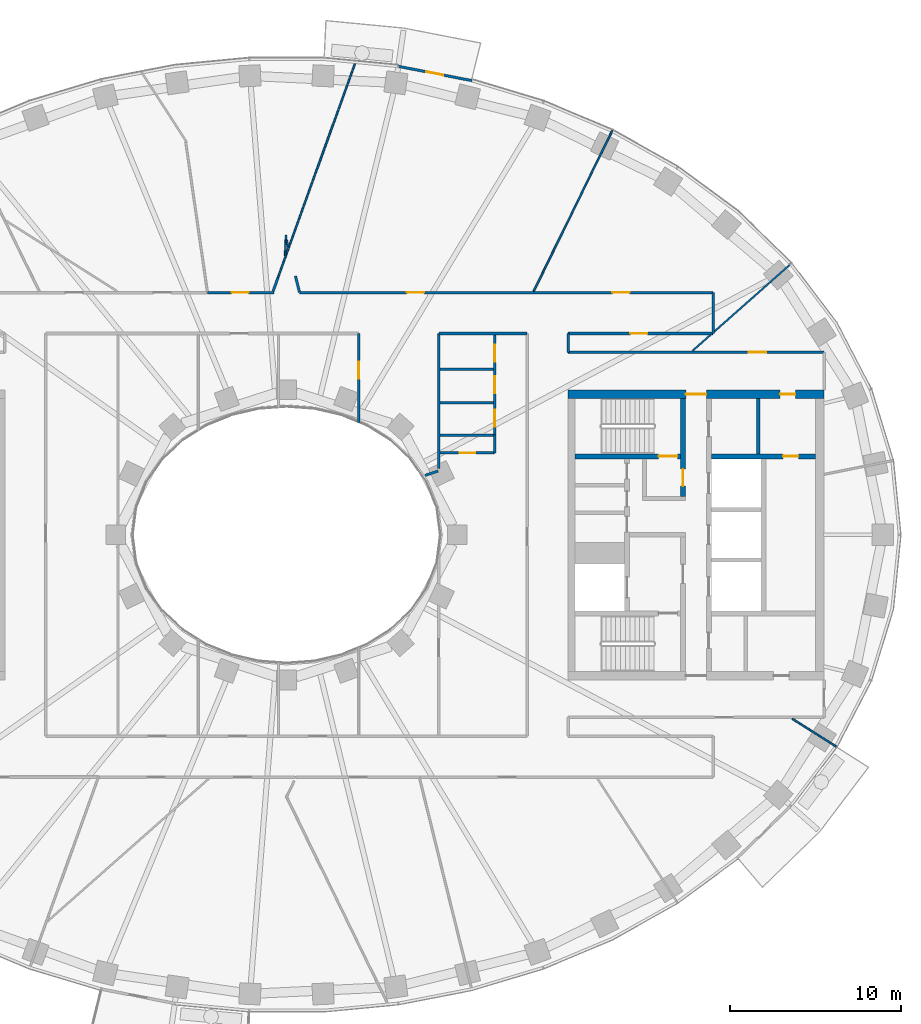
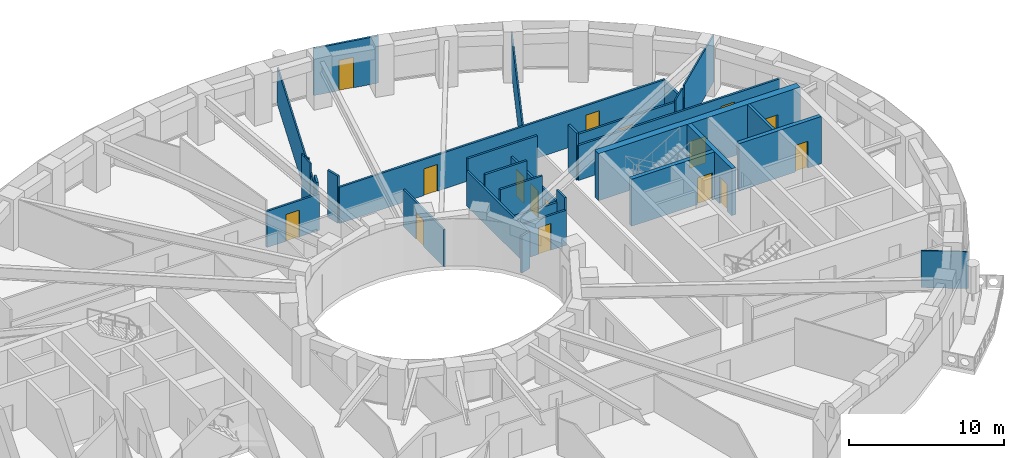
# One storey, part 6 of 16: 31 walls, 16 doors, 16 openings.
"""IFC4 building model written with IfcOpenShell, lengths in metres."""

from ifc_helpers import new_model, si_unit, direction, frame, frame_2d, origin, place, context, subcontext, project, spatial, rectangle, extrude, material, layer, layer_set, type_object, element, fill, save


model = new_model("IFC4")

# Units and contexts
model_context = context("Model", 3, precision=1e-05, world=origin(), true_north=direction((0.0, 1.0)))
body_context = subcontext(model_context, "Body", "Model", "MODEL_VIEW")
ifc_project = project(units=[si_unit("LENGTHUNIT", "METRE"), si_unit("AREAUNIT", "SQUARE_METRE"), si_unit("VOLUMEUNIT", "CUBIC_METRE"), si_unit("PLANEANGLEUNIT", "RADIAN"), si_unit("MASSUNIT", "GRAM", prefix="KILO")], contexts=[model_context])

# Site, building, storey
site_placement = place(None, origin())
site = spatial("IfcSite", under=ifc_project, at=site_placement, CompositionType="ELEMENT")
building_placement = place(site_placement, origin())
building = spatial("IfcBuilding", under=site, at=building_placement, Name="Noorbagh Ring Tower", CompositionType="ELEMENT")
storey_placement = place(building_placement, frame((0.0, 0.0, 124.0)))
storey = spatial("IfcBuildingStorey", under=building, at=storey_placement, Name="L28", CompositionType="ELEMENT", Elevation=124.0)

# Wall
ifc_material_1 = material(Name="Gypsum board on steel studs", Category="steel")
ifc_layer_1 = layer(ifc_material_1, 0.14990234375)
ifc_layer_set_1 = layer_set([ifc_layer_1], Name="Gypsum board on steel studs")
wall_type_1 = type_object("IfcWallType", Name="COMPARTMENT PARTITION 150 EI 60", PredefinedType="PARTITIONING", material=ifc_layer_set_1)
wall_1_placement = place(storey_placement, frame((9.0, 5.85009765625, 0.0), z_axis=(0.0, 0.0, 1.0), x_axis=(1.0, 0.0, 0.0)))
element("IfcWall", 1, at=wall_1_placement, inside=storey, type_object=wall_type_1, Name="L28/wall/P47", PredefinedType="PARTITIONING", context=body_context, shape_type="SweptSolid", body=[
    extrude(rectangle(XDim=3.199951171875, YDim=0.14990234375, at=frame_2d((1.60009765625, 0.0))), origin(), (0.0, 0.0, 1.0), 2.75),
])

# Wall, opening, door
wall_2_placement = place(storey_placement, frame((9.00390625, 4.800048828125, 0.0), z_axis=(0.0, 0.0, 1.0), x_axis=(1.0, 0.0, 0.0)))
wall_2 = element("IfcWall", 2, at=wall_2_placement, inside=storey, type_object=wall_type_1, Name="L28/wall/P50", PredefinedType="PARTITIONING", context=body_context, shape_type="SweptSolid", body=[
    extrude(rectangle(XDim=3.196044921875, YDim=0.14990234375, at=frame_2d((1.59814453125, 0.0))), origin(), (0.0, 0.0, 1.0), 2.75),
])
opening_1_placement = place(wall_2_placement, frame((1.14599609375, 0.0, 0.0)))
opening_1 = element("IfcOpeningElement", 3, at=opening_1_placement, cuts=wall_2, Name="Opening D4", PredefinedType="OPENING", context=body_context, shape_type="SweptSolid", body=[
    extrude(rectangle(XDim=0.89990234375, YDim=2.10009765625, at=frame_2d((0.449951171875, 1.050048828125))), frame((0.0, 0.0849609375, 0.0), z_axis=(0.0, -1.0, 0.0), x_axis=(1.0, 0.0, 0.0)), (0.0, 0.0, 1.0), 0.169921875),
])
ifc_material_2 = material(Name="Timber, painted", Category="wood")
door_type_1 = type_object("IfcDoorType", Name="DOOR 900 X 2100 FD60", OperationType="SINGLE_SWING_LEFT", PredefinedType="DOOR", material=ifc_material_2)
door_1_placement = place(opening_1_placement, origin())
door_1 = element("IfcDoor", 4, at=door_1_placement, inside=storey, type_object=door_type_1, Name="L28-D05", OperationType="SINGLE_SWING_LEFT", OverallHeight=2.10009765625, OverallWidth=0.89990234375, PredefinedType="DOOR", context=body_context, shape_type="SweptSolid", body=[
    extrude(rectangle(XDim=0.89990234375, YDim=2.10009765625, at=frame_2d((0.449951171875, 1.050048828125))), frame((0.0, 0.02490234375, 0.0), z_axis=(0.0, -1.0, 0.0), x_axis=(1.0, 0.0, 0.0)), (0.0, 0.0, 1.0), 0.050048828125),
])
fill(opening_1, door_1)

# Walls
wall_3_placement = place(storey_placement, frame((12.199951171875, 4.800048828125, 0.0), z_axis=(0.0, 0.0, 1.0), x_axis=(0.0, 1.0, 0.0)))
element("IfcWall", 5, at=wall_3_placement, inside=storey, type_object=wall_type_1, Name="L28/wall/P51", PredefinedType="PARTITIONING", context=body_context, shape_type="SweptSolid", body=[
    extrude(rectangle(XDim=1.050048828125, YDim=0.14990234375, at=frame_2d((0.52490234375, 0.0))), origin(), (0.0, 0.0, 1.0), 3.699951171875),
])
ifc_material_3 = material(Name="Gypsum board on steel studs", Category="steel")
ifc_layer_2 = layer(ifc_material_3, 0.199951171875)
ifc_layer_set_2 = layer_set([ifc_layer_2], Name="Gypsum board on steel studs")
wall_type_2 = type_object("IfcWallType", Name="CORE-PARTITION-200", PredefinedType="PARTITIONING", material=ifc_layer_set_2)
wall_4_placement = place(storey_placement, frame((27.64990234375, 4.75, 0.0), z_axis=(0.0, 0.0, 1.0), x_axis=(0.0, 1.0, 0.0)))
element("IfcWall", 6, at=wall_4_placement, inside=storey, type_object=wall_type_2, Name="Core partition E", PredefinedType="PARTITIONING", context=body_context, shape_type="SweptSolid", body=[
    extrude(rectangle(XDim=3.25, YDim=0.199951171875, at=frame_2d((1.625, 0.0))), origin(), (0.0, 0.0, 1.0), 3.699951171875),
])

# Wall, opening, door
ifc_material_4 = material(Name="Concrete C70/85", Category="concrete")
ifc_layer_3 = layer(ifc_material_4, 0.300048828125)
ifc_layer_set_3 = layer_set([ifc_layer_3], Name="Concrete C70/85")
wall_type_3 = type_object("IfcWallType", Name="CORE-WALL-300-C70-85-EI240", PredefinedType="SHEAR", material=ifc_layer_set_3)
wall_5_placement = place(storey_placement, frame((24.89990234375, 4.60009765625, 0.0), z_axis=(0.0, 0.0, 1.0), x_axis=(1.0, 0.0, 0.0)))
wall_5 = element("IfcWall", 7, at=wall_5_placement, inside=storey, type_object=wall_type_3, Name="Core wall E", PredefinedType="SHEAR", context=body_context, shape_type="SweptSolid", body=[
    extrude(rectangle(XDim=6.10009765625, YDim=0.300048828125, at=frame_2d((3.050048828125, 0.0))), origin(), (0.0, 0.0, 1.0), 3.699951171875),
])
opening_2_placement = place(wall_5_placement, frame((4.199951171875, 0.0, 0.0)))
opening_2 = element("IfcOpeningElement", 8, at=opening_2_placement, cuts=wall_5, Name="Opening L28-CE18", PredefinedType="OPENING", context=body_context, shape_type="SweptSolid", body=[
    extrude(rectangle(XDim=0.89990234375, YDim=2.10009765625, at=frame_2d((0.449951171875, 1.050048828125))), frame((0.0, 0.16015625, 0.0), z_axis=(0.0, -1.0, 0.0), x_axis=(1.0, 0.0, 0.0)), (0.0, 0.0, 1.0), 0.320068359375),
])
ifc_material_5 = material(Name="Steel door leaf", Category="steel")
door_type_2 = type_object("IfcDoorType", Name="CORE-DOOR-DROOM", OperationType="SINGLE_SWING_LEFT", PredefinedType="DOOR", material=ifc_material_5)
door_2_placement = place(opening_2_placement, origin())
door_2 = element("IfcDoor", 9, at=door_2_placement, inside=storey, type_object=door_type_2, Name="Core room door L28-CE18", OperationType="SINGLE_SWING_RIGHT", OverallHeight=2.10009765625, OverallWidth=0.89990234375, PredefinedType="DOOR", context=body_context, shape_type="SweptSolid", body=[
    extrude(rectangle(XDim=0.89990234375, YDim=2.10009765625, at=frame_2d((0.449951171875, 1.050048828125))), frame((0.0, 0.02490234375, 0.0), z_axis=(0.0, -1.0, 0.0), x_axis=(1.0, 0.0, 0.0)), (0.0, 0.0, 1.0), 0.050048828125),
])
fill(opening_2, door_2)

wall_6_placement = place(storey_placement, frame((23.22998046875, 2.25, 0.0), z_axis=(0.0, 0.0, 1.0), x_axis=(0.0, 1.0, 0.0)))
wall_6 = element("IfcWall", 10, at=wall_6_placement, inside=storey, type_object=wall_type_3, Name="Core wall E", PredefinedType="SHEAR", context=body_context, shape_type="SweptSolid", body=[
    extrude(rectangle(XDim=5.75, YDim=0.300048828125, at=frame_2d((2.875, 0.0))), origin(), (0.0, 0.0, 1.0), 3.699951171875),
])
opening_3_placement = place(wall_6_placement, frame((0.60009765625, 0.0, 0.0)))
opening_3 = element("IfcOpeningElement", 11, at=opening_3_placement, cuts=wall_6, Name="Opening L28-CE08", PredefinedType="OPENING", context=body_context, shape_type="SweptSolid", body=[
    extrude(rectangle(XDim=1.0, YDim=2.10009765625, at=frame_2d((0.5, 1.050048828125))), frame((0.0, 0.16015625, 0.0), z_axis=(0.0, -1.0, 0.0), x_axis=(1.0, 0.0, 0.0)), (0.0, 0.0, 1.0), 0.320068359375),
])
ifc_material_6 = material(Name="Steel door leaf", Category="steel")
door_type_3 = type_object("IfcDoorType", Name="CORE-DOOR-DVEST", OperationType="SINGLE_SWING_LEFT", PredefinedType="DOOR", material=ifc_material_6)
door_3_placement = place(opening_3_placement, origin())
door_3 = element("IfcDoor", 12, at=door_3_placement, inside=storey, type_object=door_type_3, Name="Stair vestibule door L28-CE08", OperationType="SINGLE_SWING_RIGHT", OverallHeight=2.10009765625, OverallWidth=1.0, PredefinedType="DOOR", context=body_context, shape_type="SweptSolid", body=[
    extrude(rectangle(XDim=1.0, YDim=2.10009765625, at=frame_2d((0.5, 1.050048828125))), frame((0.0, 0.02490234375, 0.0), z_axis=(0.0, -1.0, 0.0), x_axis=(1.0, 0.0, 0.0)), (0.0, 0.0, 1.0), 0.050048828125),
])
fill(opening_3, door_3)

wall_7_placement = place(storey_placement, frame((16.89990234375, 4.60009765625, 0.0), z_axis=(0.0, 0.0, 1.0), x_axis=(1.0, 0.0, 0.0)))
wall_7 = element("IfcWall", 13, at=wall_7_placement, inside=storey, type_object=wall_type_3, Name="Core wall E", PredefinedType="SHEAR", context=body_context, shape_type="SweptSolid", body=[
    extrude(rectangle(XDim=6.18017578125, YDim=0.300048828125, at=frame_2d((3.090087890625, 0.0))), origin(), (0.0, 0.0, 1.0), 3.699951171875),
])
opening_4_placement = place(wall_7_placement, frame((4.89990234375, 0.0, 0.0)))
opening_4 = element("IfcOpeningElement", 14, at=opening_4_placement, cuts=wall_7, Name="Opening L28-CE05", PredefinedType="OPENING", context=body_context, shape_type="SweptSolid", body=[
    extrude(rectangle(XDim=1.10009765625, YDim=2.10009765625, at=frame_2d((0.550048828125, 1.050048828125))), frame((0.0, 0.16015625, 0.0), z_axis=(0.0, -1.0, 0.0), x_axis=(1.0, 0.0, 0.0)), (0.0, 0.0, 1.0), 0.320068359375),
])
ifc_material_7 = material(Name="Steel door leaf", Category="steel")
door_type_4 = type_object("IfcDoorType", Name="CORE-DOOR-DSTAIR", OperationType="SINGLE_SWING_LEFT", PredefinedType="DOOR", material=ifc_material_7)
door_4_placement = place(opening_4_placement, origin())
door_4 = element("IfcDoor", 15, at=door_4_placement, inside=storey, type_object=door_type_4, Name="Stair door ST3 L28-CE05", OperationType="SINGLE_SWING_LEFT", OverallHeight=2.10009765625, OverallWidth=1.10009765625, PredefinedType="DOOR", context=body_context, shape_type="SweptSolid", body=[
    extrude(rectangle(XDim=1.10009765625, YDim=2.10009765625, at=frame_2d((0.550048828125, 1.050048828125))), frame((0.0, 0.02490234375, 0.0), z_axis=(0.0, -1.0, 0.0), x_axis=(1.0, 0.0, 0.0)), (0.0, 0.0, 1.0), 0.050048828125),
])
fill(opening_4, door_4)

# Wall, openings, doors
ifc_material_8 = material(Name="Concrete C70/85", Category="concrete")
ifc_layer_4 = layer(ifc_material_8, 0.5)
ifc_layer_set_4 = layer_set([ifc_layer_4], Name="Concrete C70/85")
wall_type_4 = type_object("IfcWallType", Name="CORE-WALL-500-C70-85-EI240", PredefinedType="SHEAR", material=ifc_layer_set_4)
wall_8_placement = place(storey_placement, frame((16.5, 8.25, 0.0), z_axis=(0.0, 0.0, 1.0), x_axis=(1.0, 0.0, 0.0)))
wall_8 = element("IfcWall", 16, at=wall_8_placement, inside=storey, type_object=wall_type_4, Name="Core wall E", PredefinedType="SHEAR", context=body_context, shape_type="SweptSolid", body=[
    extrude(rectangle(XDim=15.0, YDim=0.5, at=frame_2d((7.5, 0.0))), origin(), (0.0, 0.0, 1.0), 3.699951171875),
])
opening_5_placement = place(wall_8_placement, frame((6.89990234375, 0.0, 0.0)))
opening_5 = element("IfcOpeningElement", 17, at=opening_5_placement, cuts=wall_8, Name="Opening L28-CE09", PredefinedType="OPENING", context=body_context, shape_type="SweptSolid", body=[
    extrude(rectangle(XDim=1.199951171875, YDim=2.10009765625, at=frame_2d((0.60009765625, 1.050048828125))), frame((0.0, 0.260009765625, 0.0), z_axis=(0.0, -1.0, 0.0), x_axis=(1.0, 0.0, 0.0)), (0.0, 0.0, 1.0), 0.52001953125),
])
opening_6_placement = place(wall_8_placement, frame((12.425048828125, 0.0, 0.0)))
opening_6 = element("IfcOpeningElement", 18, at=opening_6_placement, cuts=wall_8, Name="Opening L28-CE15", PredefinedType="OPENING", context=body_context, shape_type="SweptSolid", body=[
    extrude(rectangle(XDim=0.89990234375, YDim=2.10009765625, at=frame_2d((0.449951171875, 1.050048828125))), frame((0.0, 0.260009765625, 0.0), z_axis=(0.0, -1.0, 0.0), x_axis=(1.0, 0.0, 0.0)), (0.0, 0.0, 1.0), 0.52001953125),
])
door_5_placement = place(opening_6_placement, origin())
door_5 = element("IfcDoor", 19, at=door_5_placement, inside=storey, type_object=door_type_2, Name="Core room door L28-CE15", OperationType="SINGLE_SWING_LEFT", OverallHeight=2.10009765625, OverallWidth=0.89990234375, PredefinedType="DOOR", context=body_context, shape_type="SweptSolid", body=[
    extrude(rectangle(XDim=0.89990234375, YDim=2.10009765625, at=frame_2d((0.449951171875, 1.050048828125))), frame((0.0, 0.02490234375, 0.0), z_axis=(0.0, -1.0, 0.0), x_axis=(1.0, 0.0, 0.0)), (0.0, 0.0, 1.0), 0.050048828125),
])
fill(opening_6, door_5)
ifc_material_9 = material(Name="Steel door leaf", Category="steel")
door_type_5 = type_object("IfcDoorType", Name="CORE-DOOR-PORT", OperationType="DOUBLE_DOOR_DOUBLE_SWING", PredefinedType="DOOR", material=ifc_material_9)
door_6_placement = place(opening_5_placement, origin())
door_6 = element("IfcDoor", 20, at=door_6_placement, inside=storey, type_object=door_type_5, Name="Core entrance door L28-CE09", OperationType="DOUBLE_DOOR_DOUBLE_SWING", OverallHeight=2.10009765625, OverallWidth=1.199951171875, PredefinedType="DOOR", context=body_context, shape_type="SweptSolid", body=[
    extrude(rectangle(XDim=1.199951171875, YDim=2.10009765625, at=frame_2d((0.60009765625, 1.050048828125))), frame((0.0, 0.02490234375, 0.0), z_axis=(0.0, -1.0, 0.0), x_axis=(1.0, 0.0, 0.0)), (0.0, 0.0, 1.0), 0.050048828125),
])
fill(opening_5, door_6)

# Wall, opening, door
ifc_material_10 = material(Name="Gypsum board on steel studs", Category="steel")
ifc_layer_5 = layer(ifc_material_10, 0.14990234375)
ifc_layer_set_5 = layer_set([ifc_layer_5], Name="Gypsum board on steel studs")
wall_type_5 = type_object("IfcWallType", Name="CORRIDOR PARTITION 150 EI 30", PredefinedType="PARTITIONING", material=ifc_layer_set_5)
wall_9_placement = place(storey_placement, frame((-4.632080078125, 14.199951171875, 0.0), z_axis=(0.0, 0.0, 1.0), x_axis=(1.0, 0.0, 0.0)))
wall_9 = element("IfcWall", 21, at=wall_9_placement, inside=storey, type_object=wall_type_5, Name="L28/wall/P28", PredefinedType="PARTITIONING", context=body_context, shape_type="SweptSolid", body=[
    extrude(rectangle(XDim=3.89697265625, YDim=0.14990234375, at=frame_2d((1.948486328125, 0.0))), origin(), (0.0, 0.0, 1.0), 2.85009765625),
])
opening_7_placement = place(wall_9_placement, frame((1.4169921875, 0.0, 0.0)))
opening_7 = element("IfcOpeningElement", 22, at=opening_7_placement, cuts=wall_9, Name="Opening D1", PredefinedType="OPENING", context=body_context, shape_type="SweptSolid", body=[
    extrude(rectangle(XDim=1.0, YDim=2.10009765625, at=frame_2d((0.5, 1.050048828125))), frame((0.0, 0.0849609375, 0.0), z_axis=(0.0, -1.0, 0.0), x_axis=(1.0, 0.0, 0.0)), (0.0, 0.0, 1.0), 0.169921875),
])
ifc_material_11 = material(Name="Timber, painted", Category="wood")
door_type_6 = type_object("IfcDoorType", Name="DOOR 1000 X 2100 FD30", OperationType="SINGLE_SWING_LEFT", PredefinedType="DOOR", material=ifc_material_11)
door_7_placement = place(opening_7_placement, origin())
door_7 = element("IfcDoor", 23, at=door_7_placement, inside=storey, type_object=door_type_6, Name="L28-D13", OperationType="SINGLE_SWING_LEFT", OverallHeight=2.10009765625, OverallWidth=1.0, PredefinedType="DOOR", context=body_context, shape_type="SweptSolid", body=[
    extrude(rectangle(XDim=1.0, YDim=2.10009765625, at=frame_2d((0.5, 1.050048828125))), frame((0.0, 0.02490234375, 0.0), z_axis=(0.0, -1.0, 0.0), x_axis=(1.0, 0.0, 0.0)), (0.0, 0.0, 1.0), 0.050048828125),
])
fill(opening_7, door_7)

# Walls
wall_10_placement = place(storey_placement, frame((-0.7880859375, 14.27490234375, 0.0), z_axis=(0.0, 0.0, 1.0), x_axis=(0.339806666964, 0.940495310508, 0.0)))
element("IfcWall", 24, at=wall_10_placement, inside=storey, type_object=wall_type_5, Name="L28/wall/P29", PredefinedType="PARTITIONING", context=body_context, shape_type="SweptSolid", body=[
    extrude(rectangle(XDim=0.8505859375, YDim=0.14990234375, at=frame_2d((0.42529296875, 0.0))), origin(), (0.0, 0.0, 1.0), 3.699951171875),
])
wall_11_placement = place(storey_placement, frame((0.52490234375, 15.1689453125, 0.0), z_axis=(0.0, 0.0, 1.0), x_axis=(0.239336638609, -0.97093664748, 0.0)))
element("IfcWall", 25, at=wall_11_placement, inside=storey, type_object=wall_type_5, Name="L28/wall/P37", PredefinedType="PARTITIONING", context=body_context, shape_type="SweptSolid", body=[
    extrude(rectangle(XDim=0.969970703125, YDim=0.14990234375, at=frame_2d((0.48486328125, 0.0))), origin(), (0.0, 0.0, 1.0), 3.699951171875),
])

# Wall, openings, doors
wall_12_placement = place(storey_placement, frame((0.763916015625, 14.199951171875, 0.0), z_axis=(0.0, 0.0, 1.0), x_axis=(1.0, 0.0, 0.0)))
wall_12 = element("IfcWall", 26, at=wall_12_placement, inside=storey, type_object=wall_type_5, Name="L28/wall/P39", PredefinedType="PARTITIONING", context=body_context, shape_type="SweptSolid", body=[
    extrude(rectangle(XDim=24.236083984375, YDim=0.14990234375, at=frame_2d((12.1181640625, 0.0))), origin(), (0.0, 0.0, 1.0), 2.85009765625),
])
opening_8_placement = place(wall_12_placement, frame((6.2939453125, 0.0, 0.0)))
opening_8 = element("IfcOpeningElement", 27, at=opening_8_placement, cuts=wall_12, Name="Opening D1", PredefinedType="OPENING", context=body_context, shape_type="SweptSolid", body=[
    extrude(rectangle(XDim=1.0, YDim=2.10009765625, at=frame_2d((0.5, 1.050048828125))), frame((0.0, 0.0849609375, 0.0), z_axis=(0.0, -1.0, 0.0), x_axis=(1.0, 0.0, 0.0)), (0.0, 0.0, 1.0), 0.169921875),
])
opening_9_placement = place(wall_12_placement, frame((18.3359375, 0.0, 0.0)))
opening_9 = element("IfcOpeningElement", 28, at=opening_9_placement, cuts=wall_12, Name="Opening D1", PredefinedType="OPENING", context=body_context, shape_type="SweptSolid", body=[
    extrude(rectangle(XDim=1.0, YDim=2.10009765625, at=frame_2d((0.5, 1.050048828125))), frame((0.0, 0.0849609375, 0.0), z_axis=(0.0, -1.0, 0.0), x_axis=(1.0, 0.0, 0.0)), (0.0, 0.0, 1.0), 0.169921875),
])
door_8_placement = place(opening_8_placement, origin())
door_8 = element("IfcDoor", 29, at=door_8_placement, inside=storey, type_object=door_type_6, Name="L28-D15", OperationType="SINGLE_SWING_LEFT", OverallHeight=2.10009765625, OverallWidth=1.0, PredefinedType="DOOR", context=body_context, shape_type="SweptSolid", body=[
    extrude(rectangle(XDim=1.0, YDim=2.10009765625, at=frame_2d((0.5, 1.050048828125))), frame((0.0, 0.02490234375, 0.0), z_axis=(0.0, -1.0, 0.0), x_axis=(1.0, 0.0, 0.0)), (0.0, 0.0, 1.0), 0.050048828125),
])
fill(opening_8, door_8)
door_9_placement = place(opening_9_placement, origin())
door_9 = element("IfcDoor", 30, at=door_9_placement, inside=storey, type_object=door_type_6, Name="L28-D17", OperationType="SINGLE_SWING_LEFT", OverallHeight=2.10009765625, OverallWidth=1.0, PredefinedType="DOOR", context=body_context, shape_type="SweptSolid", body=[
    extrude(rectangle(XDim=1.0, YDim=2.10009765625, at=frame_2d((0.5, 1.050048828125))), frame((0.0, 0.02490234375, 0.0), z_axis=(0.0, -1.0, 0.0), x_axis=(1.0, 0.0, 0.0)), (0.0, 0.0, 1.0), 0.050048828125),
])
fill(opening_9, door_9)

# Wall, opening, door
wall_13_placement = place(storey_placement, frame((4.22998046875, 6.592041015625, 0.0), z_axis=(0.0, 0.0, 1.0), x_axis=(0.0, 1.0, 0.0)))
wall_13 = element("IfcWall", 31, at=wall_13_placement, inside=storey, type_object=wall_type_5, Name="L28/wall/P41", PredefinedType="PARTITIONING", context=body_context, shape_type="SweptSolid", body=[
    extrude(rectangle(XDim=5.2080078125, YDim=0.14990234375, at=frame_2d((2.60400390625, 0.0))), origin(), (0.0, 0.0, 1.0), 2.89990234375),
])
opening_10_placement = place(wall_13_placement, frame((2.55810546875, 0.0, 0.0)))
opening_10 = element("IfcOpeningElement", 32, at=opening_10_placement, cuts=wall_13, Name="Opening D1", PredefinedType="OPENING", context=body_context, shape_type="SweptSolid", body=[
    extrude(rectangle(XDim=1.0, YDim=2.10009765625, at=frame_2d((0.5, 1.050048828125))), frame((0.0, 0.0849609375, 0.0), z_axis=(0.0, -1.0, 0.0), x_axis=(1.0, 0.0, 0.0)), (0.0, 0.0, 1.0), 0.169921875),
])
door_10_placement = place(opening_10_placement, origin())
door_10 = element("IfcDoor", 33, at=door_10_placement, inside=storey, type_object=door_type_6, Name="L28-D27", OperationType="SINGLE_SWING_LEFT", OverallHeight=2.10009765625, OverallWidth=1.0, PredefinedType="DOOR", context=body_context, shape_type="SweptSolid", body=[
    extrude(rectangle(XDim=1.0, YDim=2.10009765625, at=frame_2d((0.5, 1.050048828125))), frame((0.0, 0.02490234375, 0.0), z_axis=(0.0, -1.0, 0.0), x_axis=(1.0, 0.0, 0.0)), (0.0, 0.0, 1.0), 0.050048828125),
])
fill(opening_10, door_10)

# Walls
wall_14_placement = place(storey_placement, frame((8.929931640625, 3.87890625, 0.0), z_axis=(0.0, 0.0, 1.0), x_axis=(0.0, 1.0, 0.0)))
element("IfcWall", 34, at=wall_14_placement, inside=storey, type_object=wall_type_5, Name="L28/wall/P45", PredefinedType="PARTITIONING", context=body_context, shape_type="SweptSolid", body=[
    extrude(rectangle(XDim=7.921142578125, YDim=0.14990234375, at=frame_2d((3.96044921875, 0.0))), origin(), (0.0, 0.0, 1.0), 2.75),
])
wall_15_placement = place(storey_placement, frame((8.929931640625, 11.800048828125, 0.0), z_axis=(0.0, 0.0, 1.0), x_axis=(1.0, 0.0, 0.0)))
element("IfcWall", 35, at=wall_15_placement, inside=storey, type_object=wall_type_5, Name="L28/wall/P46", PredefinedType="PARTITIONING", context=body_context, shape_type="SweptSolid", body=[
    extrude(rectangle(XDim=5.170166015625, YDim=0.14990234375, at=frame_2d((2.5849609375, 0.0))), origin(), (0.0, 0.0, 1.0), 3.699951171875),
])
for number, where, z_axis, x_axis, name in (
    (36, (9.0, 7.739990234375, 0.0), (0.0, 0.0, 1.0), (1.0, 0.0, 0.0), "L28/wall/P48"),
    (37, (9.0, 9.699951171875, 0.0), (0.0, 0.0, 1.0), (1.0, 0.0, 0.0), "L28/wall/P49"),
):
    element("IfcWall", number, at=place(storey_placement, frame(where, z_axis=z_axis, x_axis=x_axis)), inside=storey, type_object=wall_type_5, Name=name, PredefinedType="PARTITIONING", context=body_context, shape_type="SweptSolid", body=[
        extrude(rectangle(XDim=3.125, YDim=0.14990234375, at=frame_2d((1.5625, 0.0))), origin(), (0.0, 0.0, 1.0), 3.699951171875),
    ])

# Wall, openings, doors
wall_16_placement = place(storey_placement, frame((12.199951171875, 5.85009765625, 0.0), z_axis=(0.0, 0.0, 1.0), x_axis=(0.0, 1.0, 0.0)))
wall_16 = element("IfcWall", 38, at=wall_16_placement, inside=storey, type_object=wall_type_5, Name="L28/wall/P52", PredefinedType="PARTITIONING", context=body_context, shape_type="SweptSolid", body=[
    extrude(rectangle(XDim=5.875, YDim=0.14990234375, at=frame_2d((2.9375, 0.0))), origin(), (0.0, 0.0, 1.0), 2.75),
])
opening_11_placement = place(wall_16_placement, frame((4.300048828125, 0.0, 0.0)))
opening_11 = element("IfcOpeningElement", 39, at=opening_11_placement, cuts=wall_16, Name="Opening D3", PredefinedType="OPENING", context=body_context, shape_type="SweptSolid", body=[
    extrude(rectangle(XDim=1.0, YDim=2.10009765625, at=frame_2d((0.5, 1.050048828125))), frame((0.0, 0.0849609375, 0.0), z_axis=(0.0, -1.0, 0.0), x_axis=(1.0, 0.0, 0.0)), (0.0, 0.0, 1.0), 0.169921875),
])
opening_12_placement = place(wall_16_placement, frame((2.449951171875, 0.0, 0.0)))
opening_12 = element("IfcOpeningElement", 40, at=opening_12_placement, cuts=wall_16, Name="Opening D3", PredefinedType="OPENING", context=body_context, shape_type="SweptSolid", body=[
    extrude(rectangle(XDim=1.0, YDim=2.10009765625, at=frame_2d((0.5, 1.050048828125))), frame((0.0, 0.0849609375, 0.0), z_axis=(0.0, -1.0, 0.0), x_axis=(1.0, 0.0, 0.0)), (0.0, 0.0, 1.0), 0.169921875),
])
opening_13_placement = place(wall_16_placement, frame((0.489990234375, 0.0, 0.0)))
opening_13 = element("IfcOpeningElement", 41, at=opening_13_placement, cuts=wall_16, Name="Opening D3", PredefinedType="OPENING", context=body_context, shape_type="SweptSolid", body=[
    extrude(rectangle(XDim=1.0, YDim=2.10009765625, at=frame_2d((0.5, 1.050048828125))), frame((0.0, 0.0849609375, 0.0), z_axis=(0.0, -1.0, 0.0), x_axis=(1.0, 0.0, 0.0)), (0.0, 0.0, 1.0), 0.169921875),
])
ifc_material_12 = material(Name="Timber, painted", Category="wood")
door_type_7 = type_object("IfcDoorType", Name="DOOR 1000 X 2100 WC", OperationType="SINGLE_SWING_LEFT", PredefinedType="DOOR", material=ifc_material_12)
door_11_placement = place(opening_11_placement, origin())
door_11 = element("IfcDoor", 42, at=door_11_placement, inside=storey, type_object=door_type_7, Name="L28-D02", OperationType="SINGLE_SWING_RIGHT", OverallHeight=2.10009765625, OverallWidth=1.0, PredefinedType="DOOR", context=body_context, shape_type="SweptSolid", body=[
    extrude(rectangle(XDim=1.0, YDim=2.10009765625, at=frame_2d((0.5, 1.050048828125))), frame((0.0, 0.02490234375, 0.0), z_axis=(0.0, -1.0, 0.0), x_axis=(1.0, 0.0, 0.0)), (0.0, 0.0, 1.0), 0.050048828125),
])
fill(opening_11, door_11)
door_12_placement = place(opening_12_placement, origin())
door_12 = element("IfcDoor", 43, at=door_12_placement, inside=storey, type_object=door_type_7, Name="L28-D03", OperationType="SINGLE_SWING_LEFT", OverallHeight=2.10009765625, OverallWidth=1.0, PredefinedType="DOOR", context=body_context, shape_type="SweptSolid", body=[
    extrude(rectangle(XDim=1.0, YDim=2.10009765625, at=frame_2d((0.5, 1.050048828125))), frame((0.0, 0.02490234375, 0.0), z_axis=(0.0, -1.0, 0.0), x_axis=(1.0, 0.0, 0.0)), (0.0, 0.0, 1.0), 0.050048828125),
])
fill(opening_12, door_12)
door_13_placement = place(opening_13_placement, origin())
door_13 = element("IfcDoor", 44, at=door_13_placement, inside=storey, type_object=door_type_7, Name="L28-D04", OperationType="SINGLE_SWING_RIGHT", OverallHeight=2.10009765625, OverallWidth=1.0, PredefinedType="DOOR", context=body_context, shape_type="SweptSolid", body=[
    extrude(rectangle(XDim=1.0, YDim=2.10009765625, at=frame_2d((0.5, 1.050048828125))), frame((0.0, 0.02490234375, 0.0), z_axis=(0.0, -1.0, 0.0), x_axis=(1.0, 0.0, 0.0)), (0.0, 0.0, 1.0), 0.050048828125),
])
fill(opening_13, door_13)

# Wall
wall_17_placement = place(storey_placement, frame((16.5, 10.699951171875, 0.0), z_axis=(0.0, 0.0, 1.0), x_axis=(0.0, 1.0, 0.0)))
element("IfcWall", 45, at=wall_17_placement, inside=storey, type_object=wall_type_5, Name="L28/wall/P58", PredefinedType="PARTITIONING", context=body_context, shape_type="SweptSolid", body=[
    extrude(rectangle(XDim=1.10009765625, YDim=0.14990234375, at=frame_2d((0.550048828125, 0.0))), origin(), (0.0, 0.0, 1.0), 3.699951171875),
])

# Wall, opening, door
wall_18_placement = place(storey_placement, frame((16.5, 10.699951171875, 0.0), z_axis=(0.0, 0.0, 1.0), x_axis=(1.0, 0.0, 0.0)))
wall_18 = element("IfcWall", 46, at=wall_18_placement, inside=storey, type_object=wall_type_5, Name="L28/wall/P59", PredefinedType="PARTITIONING", context=body_context, shape_type="SweptSolid", body=[
    extrude(rectangle(XDim=15.0, YDim=0.14990234375, at=frame_2d((7.5, 0.0))), origin(), (0.0, 0.0, 1.0), 2.75),
])
opening_14_placement = place(wall_18_placement, frame((10.60009765625, 0.0, 0.0)))
opening_14 = element("IfcOpeningElement", 47, at=opening_14_placement, cuts=wall_18, Name="Opening D1", PredefinedType="OPENING", context=body_context, shape_type="SweptSolid", body=[
    extrude(rectangle(XDim=1.0, YDim=2.10009765625, at=frame_2d((0.5, 1.050048828125))), frame((0.0, 0.0849609375, 0.0), z_axis=(0.0, -1.0, 0.0), x_axis=(1.0, 0.0, 0.0)), (0.0, 0.0, 1.0), 0.169921875),
])
door_14_placement = place(opening_14_placement, origin())
door_14 = element("IfcDoor", 48, at=door_14_placement, inside=storey, type_object=door_type_6, Name="L28-D20", OperationType="SINGLE_SWING_RIGHT", OverallHeight=2.10009765625, OverallWidth=1.0, PredefinedType="DOOR", context=body_context, shape_type="SweptSolid", body=[
    extrude(rectangle(XDim=1.0, YDim=2.10009765625, at=frame_2d((0.5, 1.050048828125))), frame((0.0, 0.02490234375, 0.0), z_axis=(0.0, -1.0, 0.0), x_axis=(1.0, 0.0, 0.0)), (0.0, 0.0, 1.0), 0.050048828125),
])
fill(opening_14, door_14)

wall_19_placement = place(storey_placement, frame((16.5, 11.800048828125, 0.0), z_axis=(0.0, 0.0, 1.0), x_axis=(1.0, 0.0, 0.0)))
wall_19 = element("IfcWall", 49, at=wall_19_placement, inside=storey, type_object=wall_type_5, Name="L28/wall/P60", PredefinedType="PARTITIONING", context=body_context, shape_type="SweptSolid", body=[
    extrude(rectangle(XDim=8.5, YDim=0.14990234375, at=frame_2d((4.25, 0.0))), origin(), (0.0, 0.0, 1.0), 2.75),
])
opening_15_placement = place(wall_19_placement, frame((3.64990234375, 0.0, 0.0)))
opening_15 = element("IfcOpeningElement", 50, at=opening_15_placement, cuts=wall_19, Name="Opening D1", PredefinedType="OPENING", context=body_context, shape_type="SweptSolid", body=[
    extrude(rectangle(XDim=1.0, YDim=2.10009765625, at=frame_2d((0.5, 1.050048828125))), frame((0.0, 0.0849609375, 0.0), z_axis=(0.0, -1.0, 0.0), x_axis=(1.0, 0.0, 0.0)), (0.0, 0.0, 1.0), 0.169921875),
])
door_15_placement = place(opening_15_placement, origin())
door_15 = element("IfcDoor", 51, at=door_15_placement, inside=storey, type_object=door_type_6, Name="L28-D19", OperationType="SINGLE_SWING_LEFT", OverallHeight=2.10009765625, OverallWidth=1.0, PredefinedType="DOOR", context=body_context, shape_type="SweptSolid", body=[
    extrude(rectangle(XDim=1.0, YDim=2.10009765625, at=frame_2d((0.5, 1.050048828125))), frame((0.0, 0.02490234375, 0.0), z_axis=(0.0, -1.0, 0.0), x_axis=(1.0, 0.0, 0.0)), (0.0, 0.0, 1.0), 0.050048828125),
])
fill(opening_15, door_15)

# Walls
wall_20_placement = place(storey_placement, frame((25.0, 11.800048828125, 0.0), z_axis=(0.0, 0.0, 1.0), x_axis=(0.0, 1.0, 0.0)))
element("IfcWall", 52, at=wall_20_placement, inside=storey, type_object=wall_type_5, Name="L28/wall/P64", PredefinedType="PARTITIONING", context=body_context, shape_type="SweptSolid", body=[
    extrude(rectangle(XDim=2.39990234375, YDim=0.14990234375, at=frame_2d((1.199951171875, 0.0))), origin(), (0.0, 0.0, 1.0), 2.75),
])
wall_21_placement = place(storey_placement, frame((8.884033203125, 3.736083984375, 0.0), z_axis=(0.0, 0.0, 1.0), x_axis=(-0.951505448118, -0.307631893992, 0.0)))
element("IfcWall", 53, at=wall_21_placement, inside=storey, type_object=wall_type_5, Name="L28/wall/P70", PredefinedType="PARTITIONING", context=body_context, shape_type="SweptSolid", body=[
    extrude(rectangle(XDim=0.793701171875, YDim=0.14990234375, at=frame_2d((0.39697265625, 0.0))), origin(), (0.0, 0.0, 1.0), 2.89990234375),
])

# Wall, opening, door
ifc_material_13 = material(Name="Insulated aluminium clad panel", Category="aluminium")
ifc_layer_6 = layer(ifc_material_13, 0.14990234375)
ifc_layer_set_6 = layer_set([ifc_layer_6], Name="Insulated aluminium clad panel")
wall_type_6 = type_object("IfcWallType", Name="ENV-WALL-DOOR", PredefinedType="STANDARD", material=ifc_layer_set_6)
wall_22_placement = place(storey_placement, frame((10.87060546875, 26.616943359375, 0.0), z_axis=(0.0, 0.0, 1.0), x_axis=(-0.981631174778, 0.190788460615, 0.0)))
wall_22 = element("IfcWall", 54, at=wall_22_placement, inside=storey, type_object=wall_type_6, Name="Balcony door wall chord 10", PredefinedType="STANDARD", context=body_context, shape_type="SweptSolid", body=[
    extrude(rectangle(XDim=4.42626953125, YDim=0.14990234375, at=frame_2d((2.213134765625, 0.0))), origin(), (0.0, 0.0, 1.0), 3.699951171875),
])
opening_16_placement = place(wall_22_placement, frame((1.713134765625, 0.0, 0.0)))
opening_16 = element("IfcOpeningElement", 55, at=opening_16_placement, cuts=wall_22, Name="Opening D-BL", PredefinedType="OPENING", context=body_context, shape_type="SweptSolid", body=[
    extrude(rectangle(XDim=1.0, YDim=2.39990234375, at=frame_2d((0.5, 1.199951171875))), frame((0.0, 0.0849609375, 0.0), z_axis=(0.0, -1.0, 0.0), x_axis=(1.0, 0.0, 0.0)), (0.0, 0.0, 1.0), 0.169921875),
])
ifc_material_14 = material(Name="Aluminium and glass", Category="aluminium")
door_type_8 = type_object("IfcDoorType", Name="ENV-DOOR-BALCONY", OperationType="SINGLE_SWING_LEFT", PredefinedType="DOOR", material=ifc_material_14)
door_16_placement = place(opening_16_placement, origin())
door_16 = element("IfcDoor", 56, at=door_16_placement, inside=storey, type_object=door_type_8, Name="Balcony door chord 10", OperationType="SINGLE_SWING_LEFT", OverallHeight=2.39990234375, OverallWidth=1.0, PredefinedType="DOOR", context=body_context, shape_type="SweptSolid", body=[
    extrude(rectangle(XDim=1.0, YDim=2.39990234375, at=frame_2d((0.5, 1.199951171875))), frame((0.0, 0.02490234375, 0.0), z_axis=(0.0, -1.0, 0.0), x_axis=(1.0, 0.0, 0.0)), (0.0, 0.0, 1.0), 0.050048828125),
])
fill(opening_16, door_16)

# Walls
ifc_material_15 = material(Name="Gypsum board on steel studs", Category="steel")
ifc_layer_7 = layer(ifc_material_15, 0.10009765625)
ifc_layer_set_7 = layer_set([ifc_layer_7], Name="Gypsum board on steel studs")
wall_type_7 = type_object("IfcWallType", Name="PARTITION 100 GYPSUM", PredefinedType="PARTITIONING", material=ifc_layer_set_7)
wall_23_placement = place(storey_placement, frame((-0.509033203125, 15.051025390625, 0.0), z_axis=(0.0, 0.0, 1.0), x_axis=(0.338401519309, 0.941001812819, 0.0)))
element("IfcWall", 57, at=wall_23_placement, inside=storey, type_object=wall_type_7, Name="L28/wall/P30", PredefinedType="PARTITIONING", context=body_context, shape_type="SweptSolid", body=[
    extrude(rectangle(XDim=13.460205078125, YDim=0.10009765625, at=frame_2d((6.72998046875, 0.0))), origin(), (0.0, 0.0, 1.0), 2.89990234375),
])
wall_24_placement = place(storey_placement, frame((-0.083984375, 16.35595703125, 0.0), z_axis=(0.0, 0.0, 1.0), x_axis=(0.047967320325, 0.998848905581, 0.0)))
element("IfcWall", 58, at=wall_24_placement, inside=storey, type_object=wall_type_7, Name="L28/wall/P33", PredefinedType="PARTITIONING", context=body_context, shape_type="SweptSolid", body=[
    extrude(rectangle(XDim=1.21142578125, YDim=0.10009765625, at=frame_2d((0.605712890625, 0.0))), origin(), (0.0, 0.0, 1.0), 3.699951171875),
])
wall_25_placement = place(storey_placement, frame((0.001953125, 17.283935546875, 0.0), z_axis=(0.0, 0.0, 1.0), x_axis=(0.240121592304, -0.970742819139, 0.0)))
element("IfcWall", 59, at=wall_25_placement, inside=storey, type_object=wall_type_7, Name="L28/wall/P34", PredefinedType="PARTITIONING", context=body_context, shape_type="SweptSolid", body=[
    extrude(rectangle(XDim=0.404541015625, YDim=0.10009765625, at=frame_2d((0.2021484375, 0.0))), origin(), (0.0, 0.0, 1.0), 3.699951171875),
])
wall_26_placement = place(storey_placement, frame((14.487060546875, 14.279052734375, 0.0), z_axis=(0.0, 0.0, 1.0), x_axis=(0.439239825182, 0.898369843647, 0.0)))
element("IfcWall", 60, at=wall_26_placement, inside=storey, type_object=wall_type_7, Name="L28/wall/P54", PredefinedType="PARTITIONING", context=body_context, shape_type="SweptSolid", body=[
    extrude(rectangle(XDim=10.469970703125, YDim=0.10009765625, at=frame_2d((5.23486328125, 0.0))), origin(), (0.0, 0.0, 1.0), 2.89990234375),
])
wall_27_placement = place(storey_placement, frame((23.784912109375, 10.778076171875, 0.0), z_axis=(0.0, 0.0, 1.0), x_axis=(0.749052165765, 0.662511021013, 0.0)))
element("IfcWall", 61, at=wall_27_placement, inside=storey, type_object=wall_type_7, Name="L28/wall/P62", PredefinedType="PARTITIONING", context=body_context, shape_type="SweptSolid", body=[
    extrude(rectangle(XDim=1.424560546875, YDim=0.10009765625, at=frame_2d((0.71240234375, 0.0))), origin(), (0.0, 0.0, 1.0), 3.699951171875),
])
wall_28_placement = place(storey_placement, frame((25.077880859375, 11.9208984375, 0.0), z_axis=(0.0, 0.0, 1.0), x_axis=(0.748903310324, 0.662679282749, 0.0)))
element("IfcWall", 62, at=wall_28_placement, inside=storey, type_object=wall_type_7, Name="L28/wall/P65", PredefinedType="PARTITIONING", context=body_context, shape_type="SweptSolid", body=[
    extrude(rectangle(XDim=5.9970703125, YDim=0.10009765625, at=frame_2d((2.99853515625, 0.0))), origin(), (0.0, 0.0, 1.0), 3.699951171875),
])
wall_29_placement = place(storey_placement, frame((29.636962890625, -10.777099609375, 0.0), z_axis=(0.0, 0.0, 1.0), x_axis=(0.844810627195, -0.535065420467, 0.0)))
element("IfcWall", 63, at=wall_29_placement, inside=storey, type_object=wall_type_7, Name="L28/wall/P66", PredefinedType="PARTITIONING", context=body_context, shape_type="SweptSolid", body=[
    extrude(rectangle(XDim=3.0478515625, YDim=0.10009765625, at=frame_2d((1.52392578125, 0.0))), origin(), (0.0, 0.0, 1.0), 2.89990234375),
])

save(model, "model.ifc")
